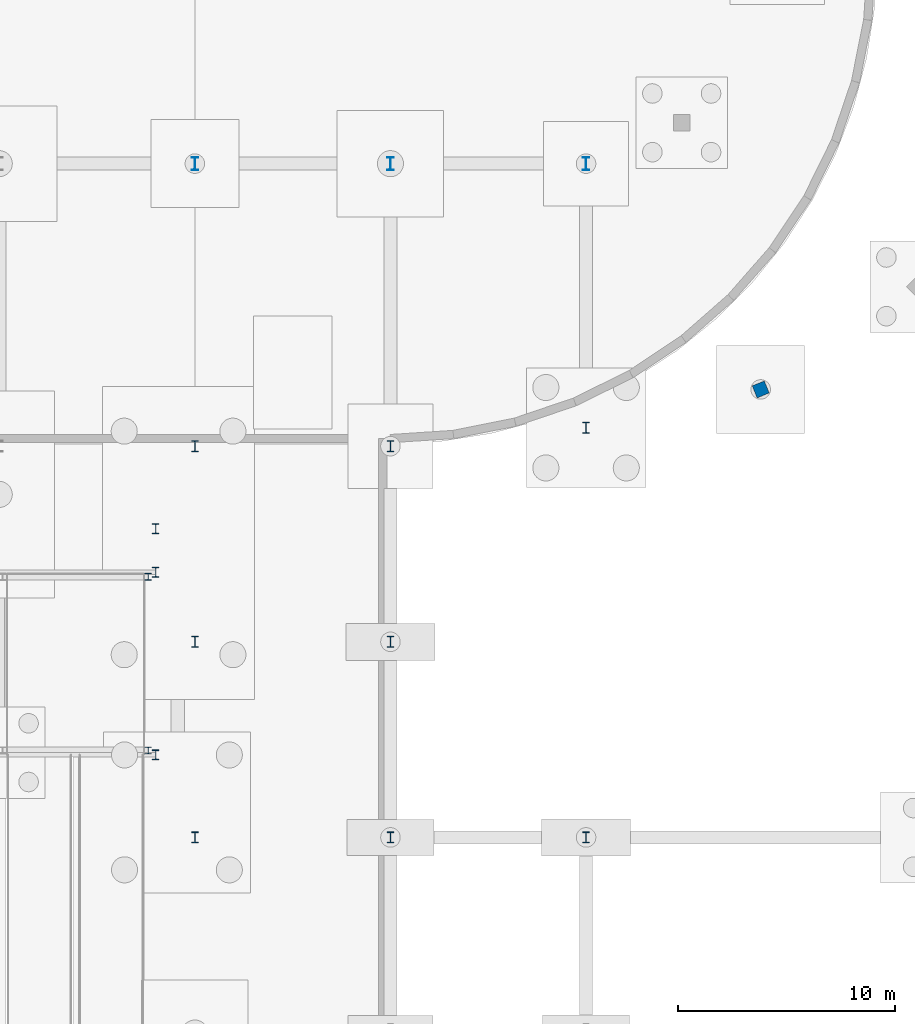
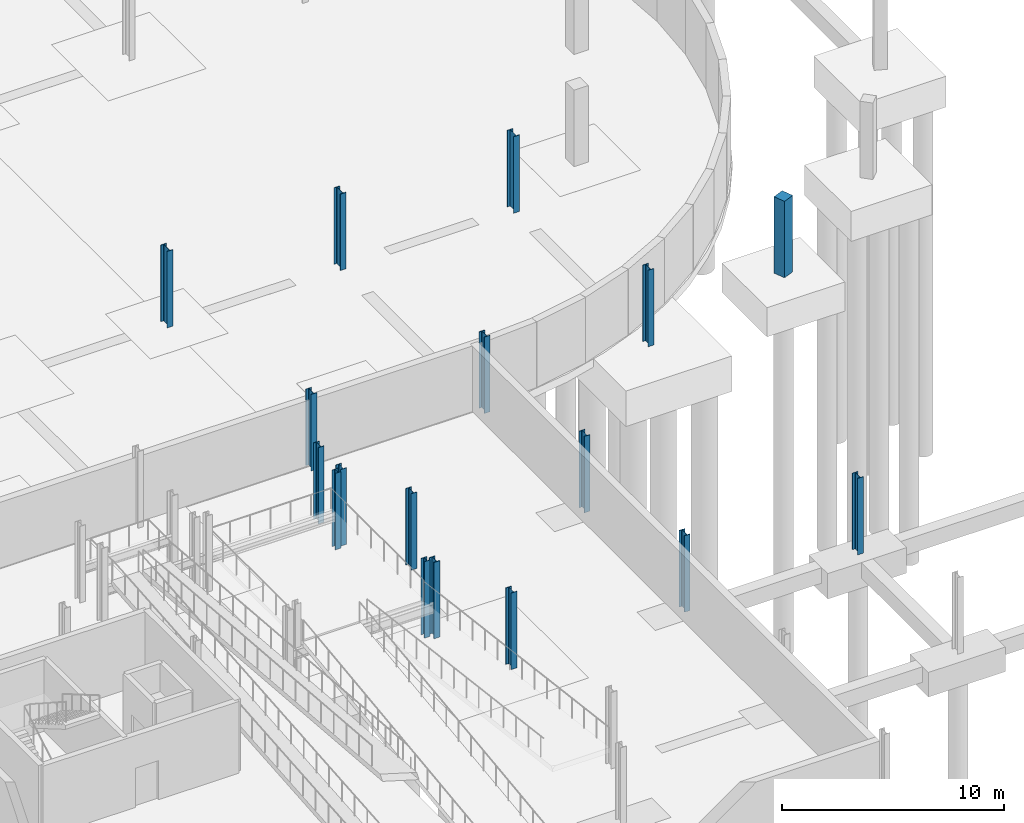
# One storey, part 21 of 42: 17 columns.
"""IFC4 building model written with IfcOpenShell, lengths in metres."""

from ifc_helpers import new_model, si_unit, direction, frame, origin, origin_2d, place, context, subcontext, project, spatial, rectangle, i_section, extrude, material, material_profile, profile_set, type_object, element, save


model = new_model("IFC4")

# Units and contexts
model_context = context("Model", 3, precision=1e-05, world=origin(), true_north=direction((0.0, 1.0)))
body_context = subcontext(model_context, "Body", "Model", "MODEL_VIEW")
ifc_project = project(units=[si_unit("LENGTHUNIT", "METRE"), si_unit("AREAUNIT", "SQUARE_METRE"), si_unit("VOLUMEUNIT", "CUBIC_METRE"), si_unit("PLANEANGLEUNIT", "RADIAN"), si_unit("MASSUNIT", "GRAM", prefix="KILO")], contexts=[model_context])

# Site, building, storey
site_placement = place(None, origin())
site = spatial("IfcSite", under=ifc_project, at=site_placement, CompositionType="ELEMENT")
building_placement = place(site_placement, origin())
building = spatial("IfcBuilding", under=site, at=building_placement, Name="Deido Ridge Mobility Hub", CompositionType="ELEMENT")
storey_placement = place(building_placement, frame((0.0, 0.0, -4.199951171875)))
storey = spatial("IfcBuildingStorey", under=building, at=storey_placement, Name="B1", CompositionType="ELEMENT", Elevation=-4.199951171875)

# Columns
ifc_material_1 = material(Name="Steel S355J2 EN 10025-2", Category="steel")
ifc_material_profile_1 = material_profile(ifc_material_1, i_section(OverallWidth=0.300048828125, OverallDepth=0.320068359375, WebThickness=0.011474609375, FlangeThickness=0.0205078125, FilletRadius=0.027099609375, at=origin_2d()), Name="HEB 320")
ifc_profile_set_1 = profile_set([ifc_material_profile_1], Name="Steel S355J2 EN 10025-2")
column_type_1 = type_object("IfcColumnType", Name="COL-HEB320", PredefinedType="COLUMN", material=ifc_profile_set_1)
for number, where, z_axis, x_axis, name in (
    (1, (96.85009765625, 67.0, 0.0), (0.0, 0.0, 1.0), (1.0, 0.0, 0.0), "Structural column C9"),
    (2, (96.85009765625, 75.0, 0.0), (0.0, 0.0, 1.0), (1.0, 0.0, 0.0), "Structural column C9"),
):
    element("IfcColumn", number, at=place(storey_placement, frame(where, z_axis=z_axis, x_axis=x_axis)), inside=storey, type_object=column_type_1, Name=name, PredefinedType="COLUMN", context=body_context, shape_type="SweptSolid", body=[
        extrude(i_section(OverallWidth=0.300048828125, OverallDepth=0.320068359375, WebThickness=0.011474609375, FlangeThickness=0.0205078125, FilletRadius=0.027099609375, at=origin_2d()), origin(), (0.0, 0.0, 1.0), 4.199951171875),
    ])
ifc_material_profile_2 = material_profile(ifc_material_1, i_section(OverallWidth=0.300048828125, OverallDepth=0.449951171875, WebThickness=0.013916015625, FlangeThickness=0.02587890625, FilletRadius=0.027099609375, at=origin_2d()), Name="HEB 450")
ifc_profile_set_2 = profile_set([ifc_material_profile_2], Name="Steel S355J2 EN 10025-2")
column_type_2 = type_object("IfcColumnType", Name="COL-HEB450", PredefinedType="COLUMN", material=ifc_profile_set_2)
for number, where, z_axis, x_axis, name in (
    (3, (97.199951171875, 66.800048828125, 0.0), (0.0, 0.0, 1.0), (1.0, 0.0, 0.0), "Structural column C6"),
    (4, (97.199951171875, 75.199951171875, 0.0), (0.0, 0.0, 1.0), (1.0, 0.0, 0.0), "Structural column C6"),
    (5, (97.199951171875, 77.199951171875, 0.0), (0.0, 0.0, 1.0), (1.0, 0.0, 0.0), "Structural column C6"),
):
    element("IfcColumn", number, at=place(storey_placement, frame(where, z_axis=z_axis, x_axis=x_axis)), inside=storey, type_object=column_type_2, Name=name, PredefinedType="COLUMN", context=body_context, shape_type="SweptSolid", body=[
        extrude(i_section(OverallWidth=0.300048828125, OverallDepth=0.449951171875, WebThickness=0.013916015625, FlangeThickness=0.02587890625, FilletRadius=0.027099609375, at=origin_2d()), origin(), (0.0, 0.0, 1.0), 4.199951171875),
    ])
ifc_material_profile_3 = material_profile(ifc_material_1, i_section(OverallWidth=0.300048828125, OverallDepth=0.5, WebThickness=0.014404296875, FlangeThickness=0.028076171875, FilletRadius=0.027099609375, at=origin_2d()), Name="HEB 500")
ifc_profile_set_3 = profile_set([ifc_material_profile_3], Name="Steel S355J2 EN 10025-2")
column_type_3 = type_object("IfcColumnType", Name="COL-HEB500", PredefinedType="COLUMN", material=ifc_profile_set_3)
for number, where, z_axis, x_axis, name in (
    (6, (99.0, 63.0, 0.0), (0.0, 0.0, 1.0), (1.0, 0.0, 0.0), "Structural column C5"),
    (7, (99.0, 72.0, 0.0), (0.0, 0.0, 1.0), (1.0, 0.0, 0.0), "Structural column C5"),
    (8, (99.0, 81.0, 0.0), (0.0, 0.0, 1.0), (1.0, 0.0, 0.0), "Structural column C5"),
    (9, (108.0, 63.0, 0.0), (0.0, 0.0, 1.0), (1.0, 0.0, 0.0), "Structural column C5"),
    (10, (108.0, 72.0, 0.0), (0.0, 0.0, 1.0), (1.0, 0.0, 0.0), "Structural column C5"),
    (11, (108.0, 81.0, 0.0), (0.0, 0.0, 1.0), (1.0, 0.0, 0.0), "Structural column C5"),
    (12, (117.0, 63.0, 0.0), (0.0, 0.0, 1.0), (1.0, 0.0, 0.0), "Structural column C5"),
    (13, (117.0, 81.85009765625, 0.0), (0.0, 0.0, 1.0), (1.0, 0.0, 0.0), "Structural column C5"),
):
    element("IfcColumn", number, at=place(storey_placement, frame(where, z_axis=z_axis, x_axis=x_axis)), inside=storey, type_object=column_type_3, Name=name, PredefinedType="COLUMN", context=body_context, shape_type="SweptSolid", body=[
        extrude(i_section(OverallWidth=0.300048828125, OverallDepth=0.5, WebThickness=0.014404296875, FlangeThickness=0.028076171875, FilletRadius=0.027099609375, at=origin_2d()), origin(), (0.0, 0.0, 1.0), 4.199951171875),
    ])
ifc_material_profile_4 = material_profile(ifc_material_1, i_section(OverallWidth=0.300048828125, OverallDepth=0.60009765625, WebThickness=0.015380859375, FlangeThickness=0.030029296875, FilletRadius=0.027099609375, at=origin_2d()), Name="HEB 600")
ifc_profile_set_4 = profile_set([ifc_material_profile_4], Name="Steel S355J2 EN 10025-2")
column_type_4 = type_object("IfcColumnType", Name="COL-HEB600", PredefinedType="COLUMN", material=ifc_profile_set_4)
for number, where, z_axis, x_axis, name in (
    (14, (99.0, 94.0, 0.0), (0.0, 0.0, 1.0), (1.0, 0.0, 0.0), "Structural column C4"),
    (15, (108.0, 94.0, 0.0), (0.0, 0.0, 1.0), (1.0, 0.0, 0.0), "Structural column C4"),
    (16, (117.0, 94.0, 0.0), (0.0, 0.0, 1.0), (1.0, 0.0, 0.0), "Structural column C4"),
):
    element("IfcColumn", number, at=place(storey_placement, frame(where, z_axis=z_axis, x_axis=x_axis)), inside=storey, type_object=column_type_4, Name=name, PredefinedType="COLUMN", context=body_context, shape_type="SweptSolid", body=[
        extrude(i_section(OverallWidth=0.300048828125, OverallDepth=0.60009765625, WebThickness=0.015380859375, FlangeThickness=0.030029296875, FilletRadius=0.027099609375, at=origin_2d()), origin(), (0.0, 0.0, 1.0), 4.199951171875),
    ])
ifc_material_2 = material(Name="Concrete C40/50", Category="concrete")
ifc_material_profile_5 = material_profile(ifc_material_2, rectangle(XDim=0.60009765625, YDim=0.60009765625, at=origin_2d()), Name="RC COL 600x600")
ifc_profile_set_5 = profile_set([ifc_material_profile_5], Name="Concrete C40/50")
column_type_5 = type_object("IfcColumnType", Name="COL-RC600", PredefinedType="COLUMN", material=ifc_profile_set_5)
column_placement = place(storey_placement, frame((125.035400390625, 83.61181640625, 0.0), z_axis=(0.0, 0.0, 1.0), x_axis=(0.374606593416, -0.927183854567, 0.0)))
element("IfcColumn", 17, at=column_placement, inside=storey, type_object=column_type_5, Name="Structural column RC2", PredefinedType="COLUMN", context=body_context, shape_type="SweptSolid", body=[
    extrude(rectangle(XDim=0.60009765625, YDim=0.60009765625, at=origin_2d()), origin(), (0.0, 0.0, 1.0), 4.199951171875),
])

save(model, "model.ifc")
